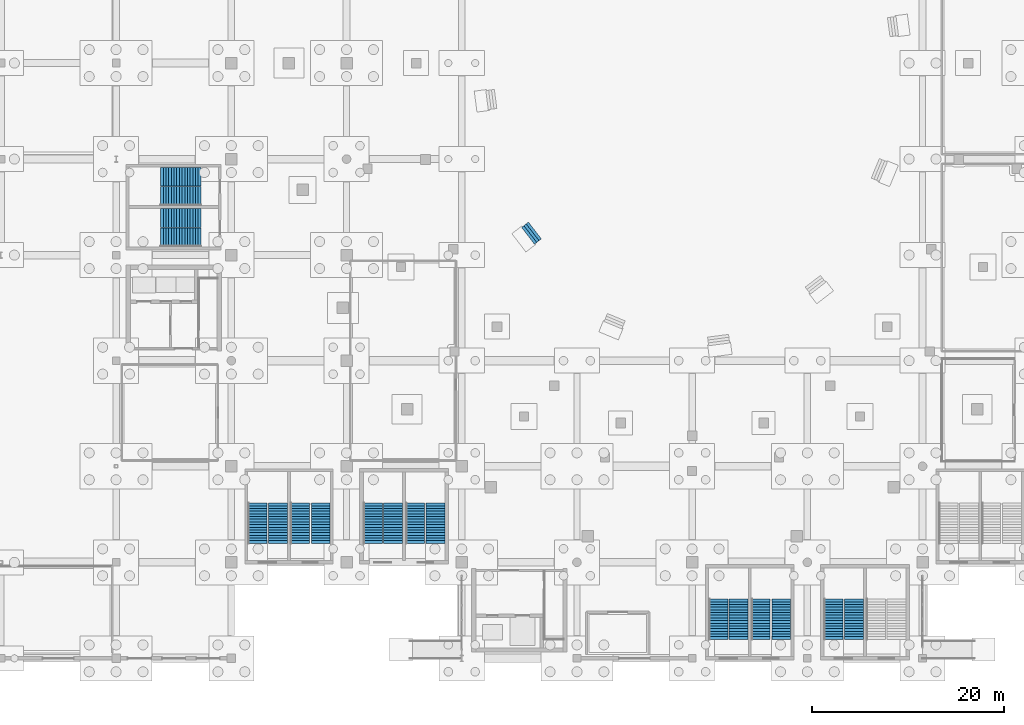
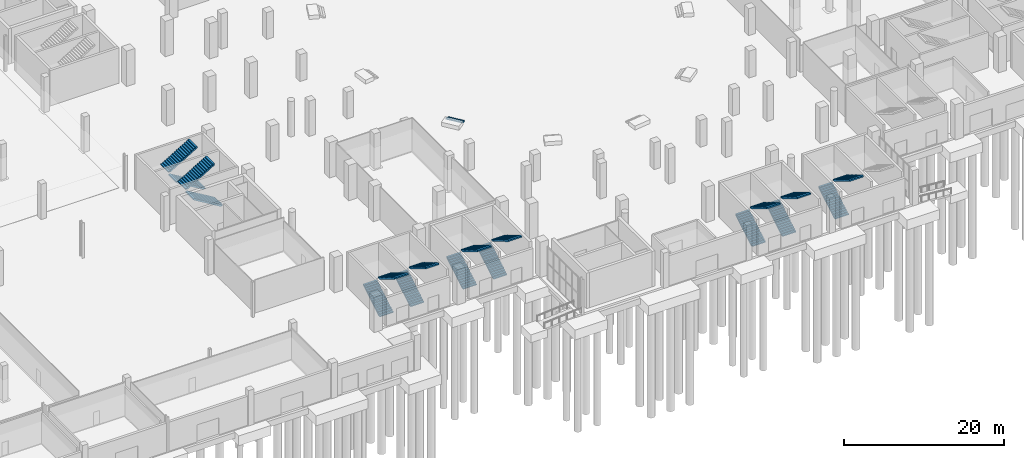
# One storey, part 58 of 70: 19 stair flights, 10 elements without a shape of their own.
"""IFC4 building model written with IfcOpenShell, lengths in metres."""

from ifc_helpers import new_model, si_unit, direction, frame, origin, place, context, subcontext, project, spatial, polyline, outline, extrude, material, layer, layer_set, type_object, element, aggregate, save


model = new_model("IFC4")

# Units and contexts
model_context = context("Model", 3, precision=1e-05, world=origin(), true_north=direction((0.0, 1.0)))
body_context = subcontext(model_context, "Body", "Model", "MODEL_VIEW")
ifc_project = project(units=[si_unit("LENGTHUNIT", "METRE"), si_unit("AREAUNIT", "SQUARE_METRE"), si_unit("VOLUMEUNIT", "CUBIC_METRE"), si_unit("PLANEANGLEUNIT", "RADIAN"), si_unit("MASSUNIT", "GRAM", prefix="KILO")], contexts=[model_context])

# Site, building, storey
site_placement = place(None, origin())
site = spatial("IfcSite", under=ifc_project, at=site_placement, CompositionType="ELEMENT")
building_placement = place(site_placement, origin())
building = spatial("IfcBuilding", under=site, at=building_placement, Name="Brinegate Civic Arena", CompositionType="ELEMENT")
storey_placement = place(building_placement, origin())
storey = spatial("IfcBuildingStorey", under=building, at=storey_placement, Name="L00", CompositionType="ELEMENT", Elevation=0.0)

# Stair, stair flights
ifc_material = material(Name="Concrete C40/50", Category="concrete")
stair_type_1 = type_object("IfcStairType", Name="STAIR-EXIT-3700", PredefinedType="HALF_TURN_STAIR", material=ifc_material)
stair_1_placement = place(storey_placement, origin())
stair_1 = element("IfcStair", 1, at=stair_1_placement, inside=storey, type_object=stair_type_1, Name="Protected Exit Stair ST-02B (L00)", PredefinedType="HALF_TURN_STAIR")
ifc_layer_1 = layer(ifc_material, 0.179931640625, Name="Concrete C40/50")
ifc_layer_set_1 = layer_set([ifc_layer_1], Name="Concrete C40/50")
stair_flight_type_1 = type_object("IfcStairFlightType", Name="FLIGHT-EXIT-3700", PredefinedType="STRAIGHT", material=ifc_layer_set_1)
stair_flight_1_placement = place(storey_placement, frame((67.139892578125, 11.969970703125, 0.0), z_axis=(0.0, 0.0, 1.0), x_axis=(0.0, 1.0, 0.0)))
stair_flight_1 = element("IfcStairFlight", 2, at=stair_flight_1_placement, type_object=stair_flight_type_1, Name="ST-02B flight 1", NumberOfRisers=16, NumberOfTreads=15, PredefinedType="STRAIGHT", RiserHeight=0.16875, TreadLength=0.28, context=body_context, shape_type="SweptSolid", body=[
    extrude(outline(polyline([(0.0, 0.0), (0.0, 0.168701171875), (0.280029296875, 0.168701171875), (0.280029296875, 0.33740234375), (0.56005859375, 0.33740234375), (0.56005859375, 0.50634765625), (0.840087890625, 0.50634765625), (0.840087890625, 0.675048828125), (1.1201171875, 0.675048828125), (1.1201171875, 0.84375), (1.39990234375, 0.84375), (1.39990234375, 1.012451171875), (1.679931640625, 1.012451171875), (1.679931640625, 1.18115234375), (1.9599609375, 1.18115234375), (1.9599609375, 1.35009765625), (2.239990234375, 1.35009765625), (2.239990234375, 1.518798828125), (2.52001953125, 1.518798828125), (2.52001953125, 1.6875), (2.800048828125, 1.6875), (2.800048828125, 1.856201171875), (3.080078125, 1.856201171875), (3.080078125, 2.02490234375), (3.360107421875, 2.02490234375), (3.360107421875, 2.19384765625), (3.639892578125, 2.19384765625), (3.639892578125, 2.362548828125), (3.919921875, 2.362548828125), (3.919921875, 2.53125), (4.199951171875, 2.53125), (4.199951171875, 2.699951171875), (4.199951171875, 2.3212890625), (0.3486328125, 0.0), (0.0, 0.0)])), frame((0.0, 0.97998046875, 0.0), z_axis=(0.0, -1.0, 0.0), x_axis=(1.0, 0.0, 0.0)), (0.0, 0.0, 1.0), 1.9599609375),
])
stair_flight_2_placement = place(storey_placement, frame((69.31005859375, 16.169921875, 2.699951171875), z_axis=(0.0, 0.0, 1.0), x_axis=(0.0, -1.0, 0.0)))
stair_flight_2 = element("IfcStairFlight", 3, at=stair_flight_2_placement, type_object=stair_flight_type_1, Name="ST-02B flight 2", NumberOfRisers=16, NumberOfTreads=15, PredefinedType="STRAIGHT", RiserHeight=0.16875, TreadLength=0.28, context=body_context, shape_type="SweptSolid", body=[
    extrude(outline(polyline([(0.0, 0.0), (0.0, 0.168701171875), (0.280029296875, 0.168701171875), (0.280029296875, 0.33740234375), (0.56005859375, 0.33740234375), (0.56005859375, 0.50634765625), (0.840087890625, 0.50634765625), (0.840087890625, 0.675048828125), (1.1201171875, 0.675048828125), (1.1201171875, 0.84375), (1.39990234375, 0.84375), (1.39990234375, 1.012451171875), (1.679931640625, 1.012451171875), (1.679931640625, 1.18115234375), (1.9599609375, 1.18115234375), (1.9599609375, 1.35009765625), (2.239990234375, 1.35009765625), (2.239990234375, 1.518798828125), (2.52001953125, 1.518798828125), (2.52001953125, 1.6875), (2.800048828125, 1.6875), (2.800048828125, 1.856201171875), (3.080078125, 1.856201171875), (3.080078125, 2.02490234375), (3.360107421875, 2.02490234375), (3.360107421875, 2.19384765625), (3.639892578125, 2.19384765625), (3.639892578125, 2.362548828125), (3.919921875, 2.362548828125), (3.919921875, 2.53125), (4.199951171875, 2.53125), (4.199951171875, 2.699951171875), (4.199951171875, 2.3212890625), (0.3486328125, 0.0), (0.0, 0.0)])), frame((0.0, 0.97998046875, 0.0), z_axis=(0.0, -1.0, 0.0), x_axis=(1.0, 0.0, 0.0)), (0.0, 0.0, 1.0), 1.9599609375),
])
aggregate(stair_1, [stair_flight_1, stair_flight_2])

stair_2_placement = place(storey_placement, origin())
stair_2 = element("IfcStair", 4, at=stair_2_placement, inside=storey, type_object=stair_type_1, Name="Protected Exit Stair ST-08B (L00)", PredefinedType="HALF_TURN_STAIR")
stair_flight_3_placement = place(storey_placement, frame((56.830078125, 48.139892578125, 0.0), z_axis=(0.0, 0.0, 1.0), x_axis=(-1.0, 0.0, 0.0)))
stair_flight_3 = element("IfcStairFlight", 5, at=stair_flight_3_placement, type_object=stair_flight_type_1, Name="ST-08B flight 1", NumberOfRisers=16, NumberOfTreads=15, PredefinedType="STRAIGHT", RiserHeight=0.16875, TreadLength=0.28, context=body_context, shape_type="SweptSolid", body=[
    extrude(outline(polyline([(0.0, 0.0), (0.0, 0.168701171875), (0.280029296875, 0.168701171875), (0.280029296875, 0.33740234375), (0.56005859375, 0.33740234375), (0.56005859375, 0.50634765625), (0.840087890625, 0.50634765625), (0.840087890625, 0.675048828125), (1.1201171875, 0.675048828125), (1.1201171875, 0.84375), (1.39990234375, 0.84375), (1.39990234375, 1.012451171875), (1.679931640625, 1.012451171875), (1.679931640625, 1.18115234375), (1.9599609375, 1.18115234375), (1.9599609375, 1.35009765625), (2.239990234375, 1.35009765625), (2.239990234375, 1.518798828125), (2.52001953125, 1.518798828125), (2.52001953125, 1.6875), (2.800048828125, 1.6875), (2.800048828125, 1.856201171875), (3.080078125, 1.856201171875), (3.080078125, 2.02490234375), (3.360107421875, 2.02490234375), (3.360107421875, 2.19384765625), (3.639892578125, 2.19384765625), (3.639892578125, 2.362548828125), (3.919921875, 2.362548828125), (3.919921875, 2.53125), (4.199951171875, 2.53125), (4.199951171875, 2.699951171875), (4.199951171875, 2.3212890625), (0.3486328125, 0.0), (0.0, 0.0)])), frame((0.0, 0.97998046875, 0.0), z_axis=(0.0, -1.0, 0.0), x_axis=(1.0, 0.0, 0.0)), (0.0, 0.0, 1.0), 1.9599609375),
])
stair_flight_4_placement = place(storey_placement, frame((52.6298828125, 50.159912109375, 2.699951171875), z_axis=(0.0, 0.0, 1.0), x_axis=(1.0, 0.0, 0.0)))
stair_flight_4 = element("IfcStairFlight", 6, at=stair_flight_4_placement, type_object=stair_flight_type_1, Name="ST-08B flight 2", NumberOfRisers=16, NumberOfTreads=15, PredefinedType="STRAIGHT", RiserHeight=0.16875, TreadLength=0.28, context=body_context, shape_type="SweptSolid", body=[
    extrude(outline(polyline([(0.0, 0.0), (0.0, 0.168701171875), (0.280029296875, 0.168701171875), (0.280029296875, 0.33740234375), (0.56005859375, 0.33740234375), (0.56005859375, 0.50634765625), (0.840087890625, 0.50634765625), (0.840087890625, 0.675048828125), (1.1201171875, 0.675048828125), (1.1201171875, 0.84375), (1.39990234375, 0.84375), (1.39990234375, 1.012451171875), (1.679931640625, 1.012451171875), (1.679931640625, 1.18115234375), (1.9599609375, 1.18115234375), (1.9599609375, 1.35009765625), (2.239990234375, 1.35009765625), (2.239990234375, 1.518798828125), (2.52001953125, 1.518798828125), (2.52001953125, 1.6875), (2.800048828125, 1.6875), (2.800048828125, 1.856201171875), (3.080078125, 1.856201171875), (3.080078125, 2.02490234375), (3.360107421875, 2.02490234375), (3.360107421875, 2.19384765625), (3.639892578125, 2.19384765625), (3.639892578125, 2.362548828125), (3.919921875, 2.362548828125), (3.919921875, 2.53125), (4.199951171875, 2.53125), (4.199951171875, 2.699951171875), (4.199951171875, 2.3212890625), (0.3486328125, 0.0), (0.0, 0.0)])), frame((0.0, 0.97998046875, 0.0), z_axis=(0.0, -1.0, 0.0), x_axis=(1.0, 0.0, 0.0)), (0.0, 0.0, 1.0), 1.9599609375),
])
aggregate(stair_2, [stair_flight_3, stair_flight_4])

stair_3_placement = place(storey_placement, origin())
stair_3 = element("IfcStair", 7, at=stair_3_placement, inside=storey, type_object=stair_type_1, Name="Protected Exit Stair ST-12B (L00)", PredefinedType="HALF_TURN_STAIR")
stair_flight_5_placement = place(storey_placement, frame((79.139892578125, 11.969970703125, 0.0), z_axis=(0.0, 0.0, 1.0), x_axis=(0.0, 1.0, 0.0)))
stair_flight_5 = element("IfcStairFlight", 8, at=stair_flight_5_placement, type_object=stair_flight_type_1, Name="ST-12B flight 1", NumberOfRisers=16, NumberOfTreads=15, PredefinedType="STRAIGHT", RiserHeight=0.16875, TreadLength=0.28, context=body_context, shape_type="SweptSolid", body=[
    extrude(outline(polyline([(0.0, 0.0), (0.0, 0.168701171875), (0.280029296875, 0.168701171875), (0.280029296875, 0.33740234375), (0.56005859375, 0.33740234375), (0.56005859375, 0.50634765625), (0.840087890625, 0.50634765625), (0.840087890625, 0.675048828125), (1.1201171875, 0.675048828125), (1.1201171875, 0.84375), (1.39990234375, 0.84375), (1.39990234375, 1.012451171875), (1.679931640625, 1.012451171875), (1.679931640625, 1.18115234375), (1.9599609375, 1.18115234375), (1.9599609375, 1.35009765625), (2.239990234375, 1.35009765625), (2.239990234375, 1.518798828125), (2.52001953125, 1.518798828125), (2.52001953125, 1.6875), (2.800048828125, 1.6875), (2.800048828125, 1.856201171875), (3.080078125, 1.856201171875), (3.080078125, 2.02490234375), (3.360107421875, 2.02490234375), (3.360107421875, 2.19384765625), (3.639892578125, 2.19384765625), (3.639892578125, 2.362548828125), (3.919921875, 2.362548828125), (3.919921875, 2.53125), (4.199951171875, 2.53125), (4.199951171875, 2.699951171875), (4.199951171875, 2.3212890625), (0.3486328125, 0.0), (0.0, 0.0)])), frame((0.0, 0.97998046875, 0.0), z_axis=(0.0, -1.0, 0.0), x_axis=(1.0, 0.0, 0.0)), (0.0, 0.0, 1.0), 1.9599609375),
])
stair_flight_6_placement = place(storey_placement, frame((81.260009765625, 16.169921875, 2.699951171875), z_axis=(0.0, 0.0, 1.0), x_axis=(0.0, -1.0, 0.0)))
stair_flight_6 = element("IfcStairFlight", 9, at=stair_flight_6_placement, type_object=stair_flight_type_1, Name="ST-12B flight 2", NumberOfRisers=16, NumberOfTreads=15, PredefinedType="STRAIGHT", RiserHeight=0.16875, TreadLength=0.28, context=body_context, shape_type="SweptSolid", body=[
    extrude(outline(polyline([(0.0, 0.0), (0.0, 0.168701171875), (0.280029296875, 0.168701171875), (0.280029296875, 0.33740234375), (0.56005859375, 0.33740234375), (0.56005859375, 0.50634765625), (0.840087890625, 0.50634765625), (0.840087890625, 0.675048828125), (1.1201171875, 0.675048828125), (1.1201171875, 0.84375), (1.39990234375, 0.84375), (1.39990234375, 1.012451171875), (1.679931640625, 1.012451171875), (1.679931640625, 1.18115234375), (1.9599609375, 1.18115234375), (1.9599609375, 1.35009765625), (2.239990234375, 1.35009765625), (2.239990234375, 1.518798828125), (2.52001953125, 1.518798828125), (2.52001953125, 1.6875), (2.800048828125, 1.6875), (2.800048828125, 1.856201171875), (3.080078125, 1.856201171875), (3.080078125, 2.02490234375), (3.360107421875, 2.02490234375), (3.360107421875, 2.19384765625), (3.639892578125, 2.19384765625), (3.639892578125, 2.362548828125), (3.919921875, 2.362548828125), (3.919921875, 2.53125), (4.199951171875, 2.53125), (4.199951171875, 2.699951171875), (4.199951171875, 2.3212890625), (0.3486328125, 0.0), (0.0, 0.0)])), frame((0.0, 0.97998046875, 0.0), z_axis=(0.0, -1.0, 0.0), x_axis=(1.0, 0.0, 0.0)), (0.0, 0.0, 1.0), 1.9599609375),
])
aggregate(stair_3, [stair_flight_5, stair_flight_6])

stair_4_placement = place(storey_placement, origin())
stair_4 = element("IfcStair", 10, at=stair_4_placement, inside=storey, type_object=stair_type_1, Name="Protected Exit Stair ST-16B (L00)", PredefinedType="HALF_TURN_STAIR")
stair_flight_7_placement = place(storey_placement, frame((115.139892578125, 1.969970703125, 0.0), z_axis=(0.0, 0.0, 1.0), x_axis=(0.0, 1.0, 0.0)))
stair_flight_7 = element("IfcStairFlight", 11, at=stair_flight_7_placement, type_object=stair_flight_type_1, Name="ST-16B flight 1", NumberOfRisers=16, NumberOfTreads=15, PredefinedType="STRAIGHT", RiserHeight=0.16875, TreadLength=0.28, context=body_context, shape_type="SweptSolid", body=[
    extrude(outline(polyline([(0.0, 0.0), (0.0, 0.168701171875), (0.280029296875, 0.168701171875), (0.280029296875, 0.33740234375), (0.56005859375, 0.33740234375), (0.56005859375, 0.50634765625), (0.840087890625, 0.50634765625), (0.840087890625, 0.675048828125), (1.1201171875, 0.675048828125), (1.1201171875, 0.84375), (1.39990234375, 0.84375), (1.39990234375, 1.012451171875), (1.679931640625, 1.012451171875), (1.679931640625, 1.18115234375), (1.9599609375, 1.18115234375), (1.9599609375, 1.35009765625), (2.239990234375, 1.35009765625), (2.239990234375, 1.518798828125), (2.52001953125, 1.518798828125), (2.52001953125, 1.6875), (2.800048828125, 1.6875), (2.800048828125, 1.856201171875), (3.080078125, 1.856201171875), (3.080078125, 2.02490234375), (3.360107421875, 2.02490234375), (3.360107421875, 2.19384765625), (3.639892578125, 2.19384765625), (3.639892578125, 2.362548828125), (3.919921875, 2.362548828125), (3.919921875, 2.53125), (4.199951171875, 2.53125), (4.199951171875, 2.699951171875), (4.199951171875, 2.3212890625), (0.3486328125, 0.0), (0.0, 0.0)])), frame((0.0, 0.97998046875, 0.0), z_axis=(0.0, -1.0, 0.0), x_axis=(1.0, 0.0, 0.0)), (0.0, 0.0, 1.0), 1.9599609375),
])
stair_flight_8_placement = place(storey_placement, frame((117.280029296875, 6.169921875, 2.699951171875), z_axis=(0.0, 0.0, 1.0), x_axis=(0.0, -1.0, 0.0)))
stair_flight_8 = element("IfcStairFlight", 12, at=stair_flight_8_placement, type_object=stair_flight_type_1, Name="ST-16B flight 2", NumberOfRisers=16, NumberOfTreads=15, PredefinedType="STRAIGHT", RiserHeight=0.16875, TreadLength=0.28, context=body_context, shape_type="SweptSolid", body=[
    extrude(outline(polyline([(0.0, 0.0), (0.0, 0.168701171875), (0.280029296875, 0.168701171875), (0.280029296875, 0.33740234375), (0.56005859375, 0.33740234375), (0.56005859375, 0.50634765625), (0.840087890625, 0.50634765625), (0.840087890625, 0.675048828125), (1.1201171875, 0.675048828125), (1.1201171875, 0.84375), (1.39990234375, 0.84375), (1.39990234375, 1.012451171875), (1.679931640625, 1.012451171875), (1.679931640625, 1.18115234375), (1.9599609375, 1.18115234375), (1.9599609375, 1.35009765625), (2.239990234375, 1.35009765625), (2.239990234375, 1.518798828125), (2.52001953125, 1.518798828125), (2.52001953125, 1.6875), (2.800048828125, 1.6875), (2.800048828125, 1.856201171875), (3.080078125, 1.856201171875), (3.080078125, 2.02490234375), (3.360107421875, 2.02490234375), (3.360107421875, 2.19384765625), (3.639892578125, 2.19384765625), (3.639892578125, 2.362548828125), (3.919921875, 2.362548828125), (3.919921875, 2.53125), (4.199951171875, 2.53125), (4.199951171875, 2.699951171875), (4.199951171875, 2.3212890625), (0.3486328125, 0.0), (0.0, 0.0)])), frame((0.0, 0.97998046875, 0.0), z_axis=(0.0, -1.0, 0.0), x_axis=(1.0, 0.0, 0.0)), (0.0, 0.0, 1.0), 1.9599609375),
])
aggregate(stair_4, [stair_flight_7, stair_flight_8])

stair_type_2 = type_object("IfcStairType", Name="STAIR-EXIT-3850", PredefinedType="HALF_TURN_STAIR", material=ifc_material)
stair_5_placement = place(storey_placement, origin())
stair_5 = element("IfcStair", 13, at=stair_5_placement, inside=storey, type_object=stair_type_2, Name="Protected Exit Stair ST-02A (L00)", PredefinedType="HALF_TURN_STAIR")
ifc_layer_2 = layer(ifc_material, 0.179931640625, Name="Concrete C40/50")
ifc_layer_set_2 = layer_set([ifc_layer_2], Name="Concrete C40/50")
stair_flight_type_2 = type_object("IfcStairFlightType", Name="FLIGHT-EXIT-3850", PredefinedType="STRAIGHT", material=ifc_layer_set_2)
stair_flight_9_placement = place(storey_placement, frame((62.699951171875, 11.969970703125, 0.0), z_axis=(0.0, 0.0, 1.0), x_axis=(0.0, 1.0, 0.0)))
stair_flight_9 = element("IfcStairFlight", 14, at=stair_flight_9_placement, type_object=stair_flight_type_2, Name="ST-02A flight 1", NumberOfRisers=16, NumberOfTreads=15, PredefinedType="STRAIGHT", RiserHeight=0.16875, TreadLength=0.28, context=body_context, shape_type="SweptSolid", body=[
    extrude(outline(polyline([(0.0, 0.0), (0.0, 0.168701171875), (0.280029296875, 0.168701171875), (0.280029296875, 0.33740234375), (0.56005859375, 0.33740234375), (0.56005859375, 0.50634765625), (0.840087890625, 0.50634765625), (0.840087890625, 0.675048828125), (1.1201171875, 0.675048828125), (1.1201171875, 0.84375), (1.39990234375, 0.84375), (1.39990234375, 1.012451171875), (1.679931640625, 1.012451171875), (1.679931640625, 1.18115234375), (1.9599609375, 1.18115234375), (1.9599609375, 1.35009765625), (2.239990234375, 1.35009765625), (2.239990234375, 1.518798828125), (2.52001953125, 1.518798828125), (2.52001953125, 1.6875), (2.800048828125, 1.6875), (2.800048828125, 1.856201171875), (3.080078125, 1.856201171875), (3.080078125, 2.02490234375), (3.360107421875, 2.02490234375), (3.360107421875, 2.19384765625), (3.639892578125, 2.19384765625), (3.639892578125, 2.362548828125), (3.919921875, 2.362548828125), (3.919921875, 2.53125), (4.199951171875, 2.53125), (4.199951171875, 2.699951171875), (4.199951171875, 2.3212890625), (0.3486328125, 0.0), (0.0, 0.0)])), frame((0.0, 0.989990234375, 0.0), z_axis=(0.0, -1.0, 0.0), x_axis=(1.0, 0.0, 0.0)), (0.0, 0.0, 1.0), 1.97998046875),
])
stair_flight_10_placement = place(storey_placement, frame((64.85009765625, 16.169921875, 2.699951171875), z_axis=(0.0, 0.0, 1.0), x_axis=(0.0, -1.0, 0.0)))
stair_flight_10 = element("IfcStairFlight", 15, at=stair_flight_10_placement, type_object=stair_flight_type_2, Name="ST-02A flight 2", NumberOfRisers=16, NumberOfTreads=15, PredefinedType="STRAIGHT", RiserHeight=0.16875, TreadLength=0.28, context=body_context, shape_type="SweptSolid", body=[
    extrude(outline(polyline([(0.0, 0.0), (0.0, 0.168701171875), (0.280029296875, 0.168701171875), (0.280029296875, 0.33740234375), (0.56005859375, 0.33740234375), (0.56005859375, 0.50634765625), (0.840087890625, 0.50634765625), (0.840087890625, 0.675048828125), (1.1201171875, 0.675048828125), (1.1201171875, 0.84375), (1.39990234375, 0.84375), (1.39990234375, 1.012451171875), (1.679931640625, 1.012451171875), (1.679931640625, 1.18115234375), (1.9599609375, 1.18115234375), (1.9599609375, 1.35009765625), (2.239990234375, 1.35009765625), (2.239990234375, 1.518798828125), (2.52001953125, 1.518798828125), (2.52001953125, 1.6875), (2.800048828125, 1.6875), (2.800048828125, 1.856201171875), (3.080078125, 1.856201171875), (3.080078125, 2.02490234375), (3.360107421875, 2.02490234375), (3.360107421875, 2.19384765625), (3.639892578125, 2.19384765625), (3.639892578125, 2.362548828125), (3.919921875, 2.362548828125), (3.919921875, 2.53125), (4.199951171875, 2.53125), (4.199951171875, 2.699951171875), (4.199951171875, 2.3212890625), (0.3486328125, 0.0), (0.0, 0.0)])), frame((0.0, 0.989990234375, 0.0), z_axis=(0.0, -1.0, 0.0), x_axis=(1.0, 0.0, 0.0)), (0.0, 0.0, 1.0), 1.97998046875),
])
aggregate(stair_5, [stair_flight_9, stair_flight_10])

stair_6_placement = place(storey_placement, origin())
stair_6 = element("IfcStair", 16, at=stair_6_placement, inside=storey, type_object=stair_type_2, Name="Protected Exit Stair ST-04A (L00)", PredefinedType="HALF_TURN_STAIR")
stair_flight_11_placement = place(storey_placement, frame((122.72998046875, 1.969970703125, 0.0), z_axis=(0.0, 0.0, 1.0), x_axis=(0.0, 1.0, 0.0)))
stair_flight_11 = element("IfcStairFlight", 17, at=stair_flight_11_placement, type_object=stair_flight_type_2, Name="ST-04A flight 1", NumberOfRisers=16, NumberOfTreads=15, PredefinedType="STRAIGHT", RiserHeight=0.16875, TreadLength=0.28, context=body_context, shape_type="SweptSolid", body=[
    extrude(outline(polyline([(0.0, 0.0), (0.0, 0.168701171875), (0.280029296875, 0.168701171875), (0.280029296875, 0.33740234375), (0.56005859375, 0.33740234375), (0.56005859375, 0.50634765625), (0.840087890625, 0.50634765625), (0.840087890625, 0.675048828125), (1.1201171875, 0.675048828125), (1.1201171875, 0.84375), (1.39990234375, 0.84375), (1.39990234375, 1.012451171875), (1.679931640625, 1.012451171875), (1.679931640625, 1.18115234375), (1.9599609375, 1.18115234375), (1.9599609375, 1.35009765625), (2.239990234375, 1.35009765625), (2.239990234375, 1.518798828125), (2.52001953125, 1.518798828125), (2.52001953125, 1.6875), (2.800048828125, 1.6875), (2.800048828125, 1.856201171875), (3.080078125, 1.856201171875), (3.080078125, 2.02490234375), (3.360107421875, 2.02490234375), (3.360107421875, 2.19384765625), (3.639892578125, 2.19384765625), (3.639892578125, 2.362548828125), (3.919921875, 2.362548828125), (3.919921875, 2.53125), (4.199951171875, 2.53125), (4.199951171875, 2.699951171875), (4.199951171875, 2.3212890625), (0.3486328125, 0.0), (0.0, 0.0)])), frame((0.0, 0.989990234375, 0.0), z_axis=(0.0, -1.0, 0.0), x_axis=(1.0, 0.0, 0.0)), (0.0, 0.0, 1.0), 1.97998046875),
])
stair_flight_12_placement = place(storey_placement, frame((124.85009765625, 6.169921875, 2.699951171875), z_axis=(0.0, 0.0, 1.0), x_axis=(0.0, -1.0, 0.0)))
stair_flight_12 = element("IfcStairFlight", 18, at=stair_flight_12_placement, type_object=stair_flight_type_2, Name="ST-04A flight 2", NumberOfRisers=16, NumberOfTreads=15, PredefinedType="STRAIGHT", RiserHeight=0.16875, TreadLength=0.28, context=body_context, shape_type="SweptSolid", body=[
    extrude(outline(polyline([(0.0, 0.0), (0.0, 0.168701171875), (0.280029296875, 0.168701171875), (0.280029296875, 0.33740234375), (0.56005859375, 0.33740234375), (0.56005859375, 0.50634765625), (0.840087890625, 0.50634765625), (0.840087890625, 0.675048828125), (1.1201171875, 0.675048828125), (1.1201171875, 0.84375), (1.39990234375, 0.84375), (1.39990234375, 1.012451171875), (1.679931640625, 1.012451171875), (1.679931640625, 1.18115234375), (1.9599609375, 1.18115234375), (1.9599609375, 1.35009765625), (2.239990234375, 1.35009765625), (2.239990234375, 1.518798828125), (2.52001953125, 1.518798828125), (2.52001953125, 1.6875), (2.800048828125, 1.6875), (2.800048828125, 1.856201171875), (3.080078125, 1.856201171875), (3.080078125, 2.02490234375), (3.360107421875, 2.02490234375), (3.360107421875, 2.19384765625), (3.639892578125, 2.19384765625), (3.639892578125, 2.362548828125), (3.919921875, 2.362548828125), (3.919921875, 2.53125), (4.199951171875, 2.53125), (4.199951171875, 2.699951171875), (4.199951171875, 2.3212890625), (0.3486328125, 0.0), (0.0, 0.0)])), frame((0.0, 0.989990234375, 0.0), z_axis=(0.0, -1.0, 0.0), x_axis=(1.0, 0.0, 0.0)), (0.0, 0.0, 1.0), 1.97998046875),
])
aggregate(stair_6, [stair_flight_11, stair_flight_12])

stair_7_placement = place(storey_placement, origin())
stair_7 = element("IfcStair", 19, at=stair_7_placement, inside=storey, type_object=stair_type_2, Name="Protected Exit Stair ST-08A (L00)", PredefinedType="HALF_TURN_STAIR")
stair_flight_13_placement = place(storey_placement, frame((56.830078125, 43.85009765625, 0.0), z_axis=(0.0, 0.0, 1.0), x_axis=(-1.0, 0.0, 0.0)))
stair_flight_13 = element("IfcStairFlight", 20, at=stair_flight_13_placement, type_object=stair_flight_type_2, Name="ST-08A flight 1", NumberOfRisers=16, NumberOfTreads=15, PredefinedType="STRAIGHT", RiserHeight=0.16875, TreadLength=0.28, context=body_context, shape_type="SweptSolid", body=[
    extrude(outline(polyline([(0.0, 0.0), (0.0, 0.168701171875), (0.280029296875, 0.168701171875), (0.280029296875, 0.33740234375), (0.56005859375, 0.33740234375), (0.56005859375, 0.50634765625), (0.840087890625, 0.50634765625), (0.840087890625, 0.675048828125), (1.1201171875, 0.675048828125), (1.1201171875, 0.84375), (1.39990234375, 0.84375), (1.39990234375, 1.012451171875), (1.679931640625, 1.012451171875), (1.679931640625, 1.18115234375), (1.9599609375, 1.18115234375), (1.9599609375, 1.35009765625), (2.239990234375, 1.35009765625), (2.239990234375, 1.518798828125), (2.52001953125, 1.518798828125), (2.52001953125, 1.6875), (2.800048828125, 1.6875), (2.800048828125, 1.856201171875), (3.080078125, 1.856201171875), (3.080078125, 2.02490234375), (3.360107421875, 2.02490234375), (3.360107421875, 2.19384765625), (3.639892578125, 2.19384765625), (3.639892578125, 2.362548828125), (3.919921875, 2.362548828125), (3.919921875, 2.53125), (4.199951171875, 2.53125), (4.199951171875, 2.699951171875), (4.199951171875, 2.3212890625), (0.3486328125, 0.0), (0.0, 0.0)])), frame((0.0, 0.989990234375, 0.0), z_axis=(0.0, -1.0, 0.0), x_axis=(1.0, 0.0, 0.0)), (0.0, 0.0, 1.0), 1.97998046875),
])
stair_flight_14_placement = place(storey_placement, frame((52.6298828125, 45.85009765625, 2.699951171875), z_axis=(0.0, 0.0, 1.0), x_axis=(1.0, 0.0, 0.0)))
stair_flight_14 = element("IfcStairFlight", 21, at=stair_flight_14_placement, type_object=stair_flight_type_2, Name="ST-08A flight 2", NumberOfRisers=16, NumberOfTreads=15, PredefinedType="STRAIGHT", RiserHeight=0.16875, TreadLength=0.28, context=body_context, shape_type="SweptSolid", body=[
    extrude(outline(polyline([(0.0, 0.0), (0.0, 0.168701171875), (0.280029296875, 0.168701171875), (0.280029296875, 0.33740234375), (0.56005859375, 0.33740234375), (0.56005859375, 0.50634765625), (0.840087890625, 0.50634765625), (0.840087890625, 0.675048828125), (1.1201171875, 0.675048828125), (1.1201171875, 0.84375), (1.39990234375, 0.84375), (1.39990234375, 1.012451171875), (1.679931640625, 1.012451171875), (1.679931640625, 1.18115234375), (1.9599609375, 1.18115234375), (1.9599609375, 1.35009765625), (2.239990234375, 1.35009765625), (2.239990234375, 1.518798828125), (2.52001953125, 1.518798828125), (2.52001953125, 1.6875), (2.800048828125, 1.6875), (2.800048828125, 1.856201171875), (3.080078125, 1.856201171875), (3.080078125, 2.02490234375), (3.360107421875, 2.02490234375), (3.360107421875, 2.19384765625), (3.639892578125, 2.19384765625), (3.639892578125, 2.362548828125), (3.919921875, 2.362548828125), (3.919921875, 2.53125), (4.199951171875, 2.53125), (4.199951171875, 2.699951171875), (4.199951171875, 2.3212890625), (0.3486328125, 0.0), (0.0, 0.0)])), frame((0.0, 0.989990234375, 0.0), z_axis=(0.0, -1.0, 0.0), x_axis=(1.0, 0.0, 0.0)), (0.0, 0.0, 1.0), 1.97998046875),
])
aggregate(stair_7, [stair_flight_13, stair_flight_14])

stair_8_placement = place(storey_placement, origin())
stair_8 = element("IfcStair", 22, at=stair_8_placement, inside=storey, type_object=stair_type_2, Name="Protected Exit Stair ST-12A (L00)", PredefinedType="HALF_TURN_STAIR")
stair_flight_15_placement = place(storey_placement, frame((74.75, 11.969970703125, 0.0), z_axis=(0.0, 0.0, 1.0), x_axis=(0.0, 1.0, 0.0)))
stair_flight_15 = element("IfcStairFlight", 23, at=stair_flight_15_placement, type_object=stair_flight_type_2, Name="ST-12A flight 1", NumberOfRisers=16, NumberOfTreads=15, PredefinedType="STRAIGHT", RiserHeight=0.16875, TreadLength=0.28, context=body_context, shape_type="SweptSolid", body=[
    extrude(outline(polyline([(0.0, 0.0), (0.0, 0.168701171875), (0.280029296875, 0.168701171875), (0.280029296875, 0.33740234375), (0.56005859375, 0.33740234375), (0.56005859375, 0.50634765625), (0.840087890625, 0.50634765625), (0.840087890625, 0.675048828125), (1.1201171875, 0.675048828125), (1.1201171875, 0.84375), (1.39990234375, 0.84375), (1.39990234375, 1.012451171875), (1.679931640625, 1.012451171875), (1.679931640625, 1.18115234375), (1.9599609375, 1.18115234375), (1.9599609375, 1.35009765625), (2.239990234375, 1.35009765625), (2.239990234375, 1.518798828125), (2.52001953125, 1.518798828125), (2.52001953125, 1.6875), (2.800048828125, 1.6875), (2.800048828125, 1.856201171875), (3.080078125, 1.856201171875), (3.080078125, 2.02490234375), (3.360107421875, 2.02490234375), (3.360107421875, 2.19384765625), (3.639892578125, 2.19384765625), (3.639892578125, 2.362548828125), (3.919921875, 2.362548828125), (3.919921875, 2.53125), (4.199951171875, 2.53125), (4.199951171875, 2.699951171875), (4.199951171875, 2.3212890625), (0.3486328125, 0.0), (0.0, 0.0)])), frame((0.0, 0.989990234375, 0.0), z_axis=(0.0, -1.0, 0.0), x_axis=(1.0, 0.0, 0.0)), (0.0, 0.0, 1.0), 1.97998046875),
])
stair_flight_16_placement = place(storey_placement, frame((76.85009765625, 16.169921875, 2.699951171875), z_axis=(0.0, 0.0, 1.0), x_axis=(0.0, -1.0, 0.0)))
stair_flight_16 = element("IfcStairFlight", 24, at=stair_flight_16_placement, type_object=stair_flight_type_2, Name="ST-12A flight 2", NumberOfRisers=16, NumberOfTreads=15, PredefinedType="STRAIGHT", RiserHeight=0.16875, TreadLength=0.28, context=body_context, shape_type="SweptSolid", body=[
    extrude(outline(polyline([(0.0, 0.0), (0.0, 0.168701171875), (0.280029296875, 0.168701171875), (0.280029296875, 0.33740234375), (0.56005859375, 0.33740234375), (0.56005859375, 0.50634765625), (0.840087890625, 0.50634765625), (0.840087890625, 0.675048828125), (1.1201171875, 0.675048828125), (1.1201171875, 0.84375), (1.39990234375, 0.84375), (1.39990234375, 1.012451171875), (1.679931640625, 1.012451171875), (1.679931640625, 1.18115234375), (1.9599609375, 1.18115234375), (1.9599609375, 1.35009765625), (2.239990234375, 1.35009765625), (2.239990234375, 1.518798828125), (2.52001953125, 1.518798828125), (2.52001953125, 1.6875), (2.800048828125, 1.6875), (2.800048828125, 1.856201171875), (3.080078125, 1.856201171875), (3.080078125, 2.02490234375), (3.360107421875, 2.02490234375), (3.360107421875, 2.19384765625), (3.639892578125, 2.19384765625), (3.639892578125, 2.362548828125), (3.919921875, 2.362548828125), (3.919921875, 2.53125), (4.199951171875, 2.53125), (4.199951171875, 2.699951171875), (4.199951171875, 2.3212890625), (0.3486328125, 0.0), (0.0, 0.0)])), frame((0.0, 0.989990234375, 0.0), z_axis=(0.0, -1.0, 0.0), x_axis=(1.0, 0.0, 0.0)), (0.0, 0.0, 1.0), 1.97998046875),
])
aggregate(stair_8, [stair_flight_15, stair_flight_16])

stair_9_placement = place(storey_placement, origin())
stair_9 = element("IfcStair", 25, at=stair_9_placement, inside=storey, type_object=stair_type_2, Name="Protected Exit Stair ST-16A (L00)", PredefinedType="HALF_TURN_STAIR")
stair_flight_17_placement = place(storey_placement, frame((110.72998046875, 1.969970703125, 0.0), z_axis=(0.0, 0.0, 1.0), x_axis=(0.0, 1.0, 0.0)))
stair_flight_17 = element("IfcStairFlight", 26, at=stair_flight_17_placement, type_object=stair_flight_type_2, Name="ST-16A flight 1", NumberOfRisers=16, NumberOfTreads=15, PredefinedType="STRAIGHT", RiserHeight=0.16875, TreadLength=0.28, context=body_context, shape_type="SweptSolid", body=[
    extrude(outline(polyline([(0.0, 0.0), (0.0, 0.168701171875), (0.280029296875, 0.168701171875), (0.280029296875, 0.33740234375), (0.56005859375, 0.33740234375), (0.56005859375, 0.50634765625), (0.840087890625, 0.50634765625), (0.840087890625, 0.675048828125), (1.1201171875, 0.675048828125), (1.1201171875, 0.84375), (1.39990234375, 0.84375), (1.39990234375, 1.012451171875), (1.679931640625, 1.012451171875), (1.679931640625, 1.18115234375), (1.9599609375, 1.18115234375), (1.9599609375, 1.35009765625), (2.239990234375, 1.35009765625), (2.239990234375, 1.518798828125), (2.52001953125, 1.518798828125), (2.52001953125, 1.6875), (2.800048828125, 1.6875), (2.800048828125, 1.856201171875), (3.080078125, 1.856201171875), (3.080078125, 2.02490234375), (3.360107421875, 2.02490234375), (3.360107421875, 2.19384765625), (3.639892578125, 2.19384765625), (3.639892578125, 2.362548828125), (3.919921875, 2.362548828125), (3.919921875, 2.53125), (4.199951171875, 2.53125), (4.199951171875, 2.699951171875), (4.199951171875, 2.3212890625), (0.3486328125, 0.0), (0.0, 0.0)])), frame((0.0, 0.989990234375, 0.0), z_axis=(0.0, -1.0, 0.0), x_axis=(1.0, 0.0, 0.0)), (0.0, 0.0, 1.0), 1.97998046875),
])
stair_flight_18_placement = place(storey_placement, frame((112.85009765625, 6.169921875, 2.699951171875), z_axis=(0.0, 0.0, 1.0), x_axis=(0.0, -1.0, 0.0)))
stair_flight_18 = element("IfcStairFlight", 27, at=stair_flight_18_placement, type_object=stair_flight_type_2, Name="ST-16A flight 2", NumberOfRisers=16, NumberOfTreads=15, PredefinedType="STRAIGHT", RiserHeight=0.16875, TreadLength=0.28, context=body_context, shape_type="SweptSolid", body=[
    extrude(outline(polyline([(0.0, 0.0), (0.0, 0.168701171875), (0.280029296875, 0.168701171875), (0.280029296875, 0.33740234375), (0.56005859375, 0.33740234375), (0.56005859375, 0.50634765625), (0.840087890625, 0.50634765625), (0.840087890625, 0.675048828125), (1.1201171875, 0.675048828125), (1.1201171875, 0.84375), (1.39990234375, 0.84375), (1.39990234375, 1.012451171875), (1.679931640625, 1.012451171875), (1.679931640625, 1.18115234375), (1.9599609375, 1.18115234375), (1.9599609375, 1.35009765625), (2.239990234375, 1.35009765625), (2.239990234375, 1.518798828125), (2.52001953125, 1.518798828125), (2.52001953125, 1.6875), (2.800048828125, 1.6875), (2.800048828125, 1.856201171875), (3.080078125, 1.856201171875), (3.080078125, 2.02490234375), (3.360107421875, 2.02490234375), (3.360107421875, 2.19384765625), (3.639892578125, 2.19384765625), (3.639892578125, 2.362548828125), (3.919921875, 2.362548828125), (3.919921875, 2.53125), (4.199951171875, 2.53125), (4.199951171875, 2.699951171875), (4.199951171875, 2.3212890625), (0.3486328125, 0.0), (0.0, 0.0)])), frame((0.0, 0.989990234375, 0.0), z_axis=(0.0, -1.0, 0.0), x_axis=(1.0, 0.0, 0.0)), (0.0, 0.0, 1.0), 1.97998046875),
])
aggregate(stair_9, [stair_flight_17, stair_flight_18])

# Stair, stair flight
stair_type_3 = type_object("IfcStairType", Name="STAIR-VOMITORY-2200", PredefinedType="STRAIGHT_RUN_STAIR", material=ifc_material)
stair_10_placement = place(storey_placement, origin())
stair_10 = element("IfcStair", 28, at=stair_10_placement, inside=storey, type_object=stair_type_3, Name="Vomitory Stair VS-08", PredefinedType="STRAIGHT_RUN_STAIR")
ifc_layer_3 = layer(ifc_material, 0.159912109375, Name="Concrete C40/50")
ifc_layer_set_3 = layer_set([ifc_layer_3], Name="Concrete C40/50")
stair_flight_type_3 = type_object("IfcStairFlightType", Name="FLIGHT-VOM-2200", PredefinedType="STRAIGHT", material=ifc_layer_set_3)
stair_flight_19_placement = place(storey_placement, frame((91.616943359375, 44.55908203125, 0.0), z_axis=(0.0, 0.0, 1.0), x_axis=(-0.793353340291, -0.608761429009, 0.0)))
stair_flight_19 = element("IfcStairFlight", 29, at=stair_flight_19_placement, type_object=stair_flight_type_3, Name="VS-08 flight 1", NumberOfRisers=4, NumberOfTreads=3, PredefinedType="STRAIGHT", RiserHeight=0.15, TreadLength=0.3, context=body_context, shape_type="SweptSolid", body=[
    extrude(outline(polyline([(0.0, 0.0), (0.0, 0.14990234375), (0.300048828125, 0.14990234375), (0.300048828125, 0.300048828125), (0.60009765625, 0.300048828125), (0.60009765625, 0.449951171875), (0.89990234375, 0.449951171875), (0.89990234375, 0.60009765625), (0.89990234375, 0.271240234375), (0.357666015625, 0.0), (0.0, 0.0)])), frame((0.0, 1.10009765625, 0.0), z_axis=(0.0, -1.0, 0.0), x_axis=(1.0, 0.0, 0.0)), (0.0, 0.0, 1.0), 2.199951171875),
])
aggregate(stair_10, [stair_flight_19])

save(model, "model.ifc")
